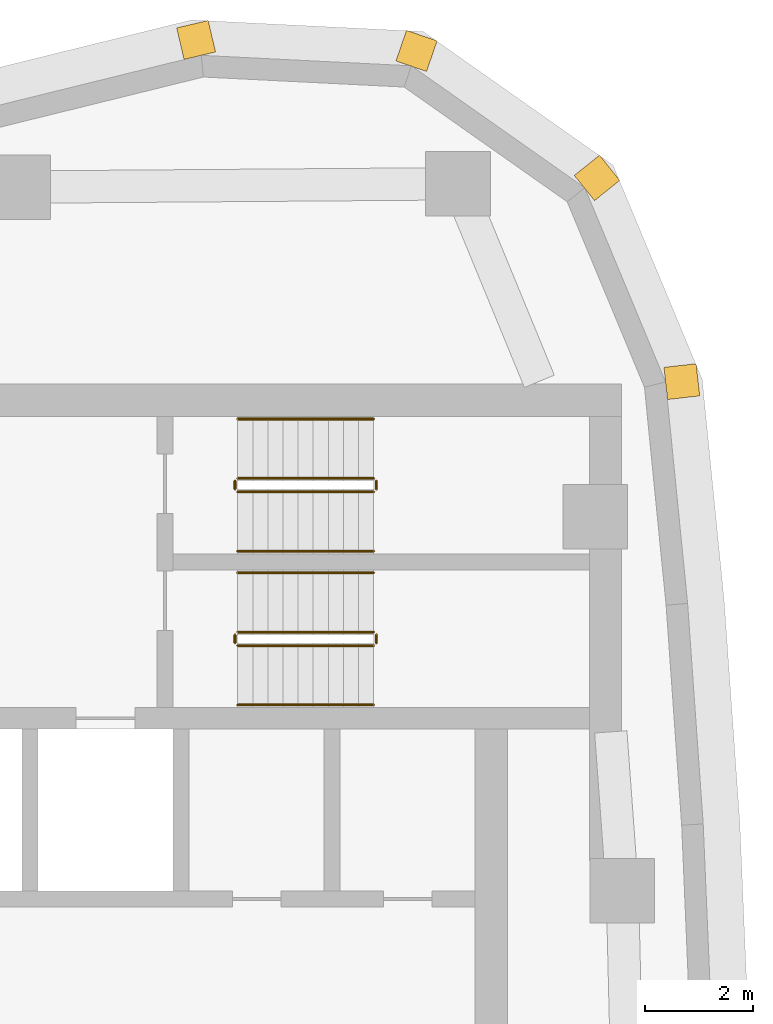
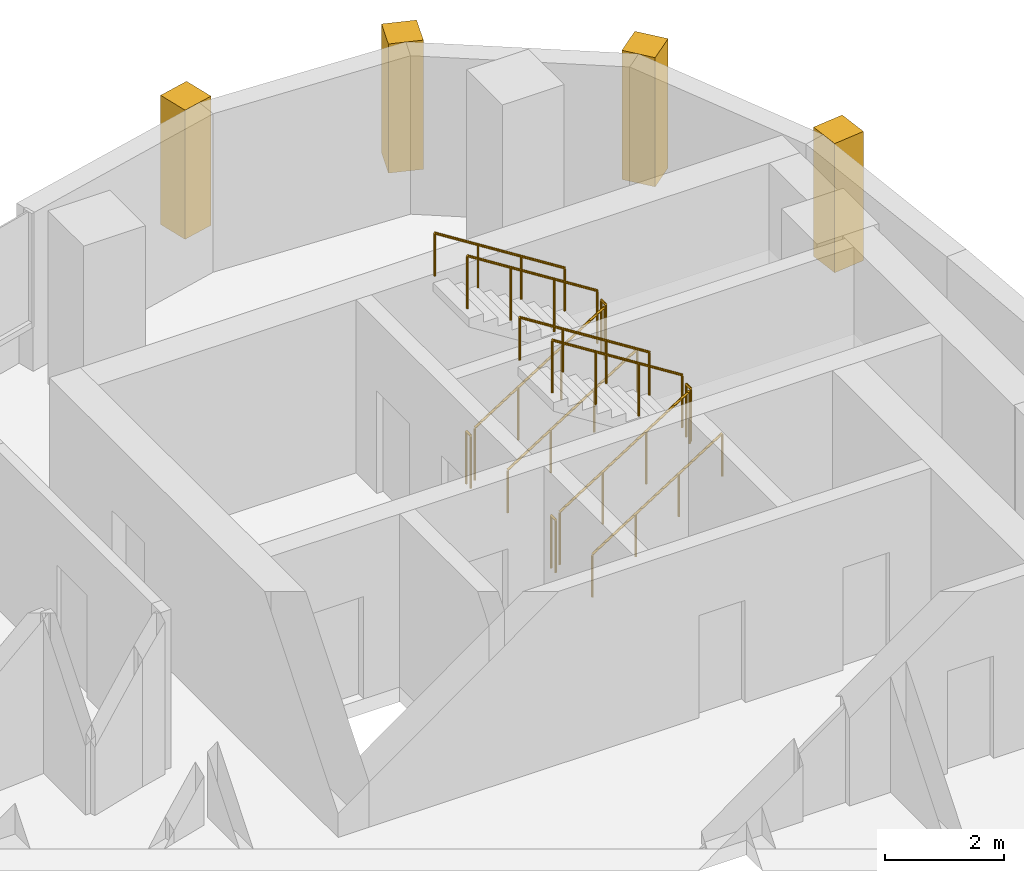
# One storey, part 16 of 16: 12 railings, 4 coverings.
"""IFC4 building model written with IfcOpenShell, lengths in metres."""

from ifc_helpers import new_model, si_unit, direction, frame, frame_2d, origin, origin_2d, place, context, subcontext, project, spatial, rectangle, circle, extrude, material, layer, layer_set, type_object, element, save


model = new_model("IFC4")

# Units and contexts
model_context = context("Model", 3, precision=1e-05, world=origin(), true_north=direction((0.0, 1.0)))
body_context = subcontext(model_context, "Body", "Model", "MODEL_VIEW")
ifc_project = project(units=[si_unit("LENGTHUNIT", "METRE"), si_unit("AREAUNIT", "SQUARE_METRE"), si_unit("VOLUMEUNIT", "CUBIC_METRE"), si_unit("PLANEANGLEUNIT", "RADIAN"), si_unit("MASSUNIT", "GRAM", prefix="KILO")], contexts=[model_context])

# Site, building, storey
site_placement = place(None, origin())
site = spatial("IfcSite", under=ifc_project, at=site_placement, CompositionType="ELEMENT")
building_placement = place(site_placement, origin())
building = spatial("IfcBuilding", under=site, at=building_placement, Name="Ostrand Prow Hotel Tower", CompositionType="ELEMENT")
storey_placement = place(building_placement, frame((0.0, 0.0, 224.35009765625)))
storey = spatial("IfcBuildingStorey", under=building, at=storey_placement, Name="L56", CompositionType="ELEMENT", Elevation=224.35009765625)

# Coverings
ifc_material_1 = material(Name="Limestone cladding", Category="masonry")
ifc_layer = layer(ifc_material_1, 0.60009765625)
ifc_layer_set = layer_set([ifc_layer], Name="Limestone cladding")
covering_type = type_object("IfcCoveringType", Name="Precast stone prow rib 600x600", PredefinedType="CLADDING", material=ifc_layer_set)
for number, where, z_axis, x_axis, name in (
    (1, (65.13623046875, 16.35986328125, 0.599853515625), (0.0, 0.0, 1.0), (0.993628058569, 0.112708833834, 0.0), "Stone corner rib 13a"),
    (2, (63.62744140625, 19.98291015625, 0.599853515625), (0.0, 0.0, 1.0), (0.779994736518, 0.625786074473, 0.0), "Stone corner rib 14a"),
    (3, (60.417236328125, 22.240966796875, 0.599853515625), (0.0, 0.0, 1.0), (0.325489086777, 0.945545797087, 0.0), "Stone corner rib 15a"),
    (4, (56.49755859375, 22.436279296875, 0.599853515625), (0.0, 0.0, 1.0), (-0.229878322855, 0.973219377469, 0.0), "Stone corner rib 15b"),
):
    element("IfcCovering", number, at=place(storey_placement, frame(where, z_axis=z_axis, x_axis=x_axis)), inside=storey, type_object=covering_type, Name=name, PredefinedType="CLADDING", context=body_context, shape_type="SweptSolid", body=[
        extrude(rectangle(XDim=0.60009765625, YDim=0.60009765625, at=frame_2d((0.300048828125, 0.0))), origin(), (0.0, 0.0, 1.0), 2.650146484375),
    ])

# Railings
ifc_material_2 = material(Name="Painted steel", Category="steel")
railing_type_1 = type_object("IfcRailingType", Name="Stair guard 1100", PredefinedType="GUARDRAIL", material=ifc_material_2)
railing_1_placement = place(storey_placement, frame((57.199951171875, 11.5, 0.177490234375)))
element("IfcRailing", 5, at=railing_1_placement, inside=storey, type_object=railing_type_1, Name="L56 ST1C stair guard 1", PredefinedType="GUARDRAIL", context=body_context, shape_type="SweptSolid", body=[
    extrude(circle(Radius=0.02392578125, at=origin_2d()), frame((0.0, 0.0, 1.076171875), z_axis=(0.84460694969, 0.0, 0.535386869969), x_axis=(0.0, 1.0, 0.0)), (0.0, 0.0, 1.0), 2.983642578125),
    extrude(circle(Radius=0.02099609375, at=origin_2d()), origin(), (0.0, 0.0, 1.0), 1.052001953125),
    extrude(circle(Radius=0.02099609375, at=origin_2d()), frame((0.840087890625, 0.0, 0.532470703125)), (0.0, 0.0, 1.0), 1.052001953125),
    extrude(circle(Radius=0.02099609375, at=origin_2d()), frame((1.679931640625, 0.0, 1.06494140625)), (0.0, 0.0, 1.0), 1.052001953125),
    extrude(circle(Radius=0.02099609375, at=origin_2d()), frame((2.52001953125, 0.0, 1.597412109375)), (0.0, 0.0, 1.0), 1.052001953125),
])
railing_2_placement = place(storey_placement, frame((59.77001953125, 11.550048828125, 1.77490234375)))
element("IfcRailing", 6, at=railing_2_placement, inside=storey, type_object=railing_type_1, Name="L56 ST1C stair guard 2", PredefinedType="GUARDRAIL", context=body_context, shape_type="SweptSolid", body=[
    extrude(circle(Radius=0.02392578125, at=origin_2d()), frame((0.0, 0.0, 1.076171875), z_axis=(0.0, 1.0, 0.0), x_axis=(-1.0, 0.0, 0.0)), (0.0, 0.0, 1.0), 0.14990234375),
    extrude(circle(Radius=0.02099609375, at=origin_2d()), origin(), (0.0, 0.0, 1.0), 1.052001953125),
    extrude(circle(Radius=0.02099609375, at=origin_2d()), frame((0.0, 0.14990234375, 0.0)), (0.0, 0.0, 1.0), 1.052001953125),
])
railing_3_placement = place(storey_placement, frame((59.719970703125, 11.75, 1.952392578125)))
element("IfcRailing", 7, at=railing_3_placement, inside=storey, type_object=railing_type_1, Name="L56 ST1C stair guard 3", PredefinedType="GUARDRAIL", context=body_context, shape_type="SweptSolid", body=[
    extrude(circle(Radius=0.02392578125, at=origin_2d()), frame((0.0, 0.0, 1.076171875), z_axis=(-0.84460694969, 0.0, 0.535386869969), x_axis=(0.0, -1.0, 0.0)), (0.0, 0.0, 1.0), 2.983642578125),
    extrude(circle(Radius=0.02099609375, at=origin_2d()), origin(), (0.0, 0.0, 1.0), 1.052001953125),
    extrude(circle(Radius=0.02099609375, at=origin_2d()), frame((-0.840087890625, 0.0, 0.532470703125)), (0.0, 0.0, 1.0), 1.052001953125),
    extrude(circle(Radius=0.02099609375, at=origin_2d()), frame((-1.679931640625, 0.0, 1.06494140625)), (0.0, 0.0, 1.0), 1.052001953125),
    extrude(circle(Radius=0.02099609375, at=origin_2d()), frame((-2.52001953125, 0.0, 1.597412109375)), (0.0, 0.0, 1.0), 1.052001953125),
])
railing_4_placement = place(storey_placement, frame((57.14990234375, 11.550048828125, 0.0)))
element("IfcRailing", 8, at=railing_4_placement, inside=storey, type_object=railing_type_1, Name="L56 ST1C stair guard 4", PredefinedType="GUARDRAIL", context=body_context, shape_type="SweptSolid", body=[
    extrude(circle(Radius=0.02392578125, at=origin_2d()), frame((0.0, 0.0, 1.076171875), z_axis=(0.0, 1.0, 0.0), x_axis=(-1.0, 0.0, 0.0)), (0.0, 0.0, 1.0), 0.14990234375),
    extrude(circle(Radius=0.02099609375, at=origin_2d()), origin(), (0.0, 0.0, 1.0), 1.052001953125),
    extrude(circle(Radius=0.02099609375, at=origin_2d()), frame((0.0, 0.14990234375, 0.0)), (0.0, 0.0, 1.0), 1.052001953125),
])
railing_5_placement = place(storey_placement, frame((57.199951171875, 14.35009765625, 0.177490234375)))
element("IfcRailing", 9, at=railing_5_placement, inside=storey, type_object=railing_type_1, Name="L56 ST3C stair guard 1", PredefinedType="GUARDRAIL", context=body_context, shape_type="SweptSolid", body=[
    extrude(circle(Radius=0.02392578125, at=origin_2d()), frame((0.0, 0.0, 1.076171875), z_axis=(0.84460694969, 0.0, 0.535386869969), x_axis=(0.0, 1.0, 0.0)), (0.0, 0.0, 1.0), 2.983642578125),
    extrude(circle(Radius=0.02099609375, at=origin_2d()), origin(), (0.0, 0.0, 1.0), 1.052001953125),
    extrude(circle(Radius=0.02099609375, at=origin_2d()), frame((0.840087890625, 0.0, 0.532470703125)), (0.0, 0.0, 1.0), 1.052001953125),
    extrude(circle(Radius=0.02099609375, at=origin_2d()), frame((1.679931640625, 0.0, 1.06494140625)), (0.0, 0.0, 1.0), 1.052001953125),
    extrude(circle(Radius=0.02099609375, at=origin_2d()), frame((2.52001953125, 0.0, 1.597412109375)), (0.0, 0.0, 1.0), 1.052001953125),
])
railing_6_placement = place(storey_placement, frame((59.77001953125, 14.39990234375, 1.77490234375)))
element("IfcRailing", 10, at=railing_6_placement, inside=storey, type_object=railing_type_1, Name="L56 ST3C stair guard 2", PredefinedType="GUARDRAIL", context=body_context, shape_type="SweptSolid", body=[
    extrude(circle(Radius=0.02392578125, at=origin_2d()), frame((0.0, 0.0, 1.076171875), z_axis=(0.0, 1.0, 0.0), x_axis=(-1.0, 0.0, 0.0)), (0.0, 0.0, 1.0), 0.150146484375),
    extrude(circle(Radius=0.02099609375, at=origin_2d()), origin(), (0.0, 0.0, 1.0), 1.052001953125),
    extrude(circle(Radius=0.02099609375, at=origin_2d()), frame((0.0, 0.150146484375, 0.0)), (0.0, 0.0, 1.0), 1.052001953125),
])
railing_7_placement = place(storey_placement, frame((59.719970703125, 14.60009765625, 1.952392578125)))
element("IfcRailing", 11, at=railing_7_placement, inside=storey, type_object=railing_type_1, Name="L56 ST3C stair guard 3", PredefinedType="GUARDRAIL", context=body_context, shape_type="SweptSolid", body=[
    extrude(circle(Radius=0.02392578125, at=origin_2d()), frame((0.0, 0.0, 1.076171875), z_axis=(-0.84460694969, 0.0, 0.535386869969), x_axis=(0.0, -1.0, 0.0)), (0.0, 0.0, 1.0), 2.983642578125),
    extrude(circle(Radius=0.02099609375, at=origin_2d()), origin(), (0.0, 0.0, 1.0), 1.052001953125),
    extrude(circle(Radius=0.02099609375, at=origin_2d()), frame((-0.840087890625, 0.0, 0.532470703125)), (0.0, 0.0, 1.0), 1.052001953125),
    extrude(circle(Radius=0.02099609375, at=origin_2d()), frame((-1.679931640625, 0.0, 1.06494140625)), (0.0, 0.0, 1.0), 1.052001953125),
    extrude(circle(Radius=0.02099609375, at=origin_2d()), frame((-2.52001953125, 0.0, 1.597412109375)), (0.0, 0.0, 1.0), 1.052001953125),
])
railing_8_placement = place(storey_placement, frame((57.14990234375, 14.39990234375, 0.0)))
element("IfcRailing", 12, at=railing_8_placement, inside=storey, type_object=railing_type_1, Name="L56 ST3C stair guard 4", PredefinedType="GUARDRAIL", context=body_context, shape_type="SweptSolid", body=[
    extrude(circle(Radius=0.02392578125, at=origin_2d()), frame((0.0, 0.0, 1.076171875), z_axis=(0.0, 1.0, 0.0), x_axis=(-1.0, 0.0, 0.0)), (0.0, 0.0, 1.0), 0.150146484375),
    extrude(circle(Radius=0.02099609375, at=origin_2d()), origin(), (0.0, 0.0, 1.0), 1.052001953125),
    extrude(circle(Radius=0.02099609375, at=origin_2d()), frame((0.0, 0.150146484375, 0.0)), (0.0, 0.0, 1.0), 1.052001953125),
])
ifc_material_3 = material(Name="Stainless steel", Category="steel")
railing_type_2 = type_object("IfcRailingType", Name="Stair handrail 900", PredefinedType="HANDRAIL", material=ifc_material_3)
railing_9_placement = place(storey_placement, frame((57.199951171875, 10.39990234375, 0.177490234375)))
element("IfcRailing", 13, at=railing_9_placement, inside=storey, type_object=railing_type_2, Name="L56 ST1C stair handrail 1", PredefinedType="HANDRAIL", context=body_context, shape_type="SweptSolid", body=[
    extrude(circle(Radius=0.02392578125, at=origin_2d()), frame((0.0, 0.0, 0.8759765625), z_axis=(0.84460694969, 0.0, 0.535386869969), x_axis=(0.0, 1.0, 0.0)), (0.0, 0.0, 1.0), 2.983642578125),
    extrude(circle(Radius=0.02099609375, at=origin_2d()), origin(), (0.0, 0.0, 1.0), 0.851806640625),
    extrude(circle(Radius=0.02099609375, at=origin_2d()), frame((0.840087890625, 0.0, 0.532470703125)), (0.0, 0.0, 1.0), 0.851806640625),
    extrude(circle(Radius=0.02099609375, at=origin_2d()), frame((1.679931640625, 0.0, 1.06494140625)), (0.0, 0.0, 1.0), 0.851806640625),
    extrude(circle(Radius=0.02099609375, at=origin_2d()), frame((2.52001953125, 0.0, 1.597412109375)), (0.0, 0.0, 1.0), 0.851806640625),
])
railing_10_placement = place(storey_placement, frame((59.719970703125, 12.85009765625, 1.952392578125)))
element("IfcRailing", 14, at=railing_10_placement, inside=storey, type_object=railing_type_2, Name="L56 ST1C stair handrail 2", PredefinedType="HANDRAIL", context=body_context, shape_type="SweptSolid", body=[
    extrude(circle(Radius=0.02392578125, at=origin_2d()), frame((0.0, 0.0, 0.8759765625), z_axis=(-0.84460694969, 0.0, 0.535386869969), x_axis=(0.0, -1.0, 0.0)), (0.0, 0.0, 1.0), 2.983642578125),
    extrude(circle(Radius=0.02099609375, at=origin_2d()), origin(), (0.0, 0.0, 1.0), 0.851806640625),
    extrude(circle(Radius=0.02099609375, at=origin_2d()), frame((-0.840087890625, 0.0, 0.532470703125)), (0.0, 0.0, 1.0), 0.851806640625),
    extrude(circle(Radius=0.02099609375, at=origin_2d()), frame((-1.679931640625, 0.0, 1.06494140625)), (0.0, 0.0, 1.0), 0.851806640625),
    extrude(circle(Radius=0.02099609375, at=origin_2d()), frame((-2.52001953125, 0.0, 1.597412109375)), (0.0, 0.0, 1.0), 0.851806640625),
])
railing_11_placement = place(storey_placement, frame((57.199951171875, 13.25, 0.177490234375)))
element("IfcRailing", 15, at=railing_11_placement, inside=storey, type_object=railing_type_2, Name="L56 ST3C stair handrail 1", PredefinedType="HANDRAIL", context=body_context, shape_type="SweptSolid", body=[
    extrude(circle(Radius=0.02392578125, at=origin_2d()), frame((0.0, 0.0, 0.8759765625), z_axis=(0.84460694969, 0.0, 0.535386869969), x_axis=(0.0, 1.0, 0.0)), (0.0, 0.0, 1.0), 2.983642578125),
    extrude(circle(Radius=0.02099609375, at=origin_2d()), origin(), (0.0, 0.0, 1.0), 0.851806640625),
    extrude(circle(Radius=0.02099609375, at=origin_2d()), frame((0.840087890625, 0.0, 0.532470703125)), (0.0, 0.0, 1.0), 0.851806640625),
    extrude(circle(Radius=0.02099609375, at=origin_2d()), frame((1.679931640625, 0.0, 1.06494140625)), (0.0, 0.0, 1.0), 0.851806640625),
    extrude(circle(Radius=0.02099609375, at=origin_2d()), frame((2.52001953125, 0.0, 1.597412109375)), (0.0, 0.0, 1.0), 0.851806640625),
])
railing_12_placement = place(storey_placement, frame((59.719970703125, 15.699951171875, 1.952392578125)))
element("IfcRailing", 16, at=railing_12_placement, inside=storey, type_object=railing_type_2, Name="L56 ST3C stair handrail 2", PredefinedType="HANDRAIL", context=body_context, shape_type="SweptSolid", body=[
    extrude(circle(Radius=0.02392578125, at=origin_2d()), frame((0.0, 0.0, 0.8759765625), z_axis=(-0.84460694969, 0.0, 0.535386869969), x_axis=(0.0, -1.0, 0.0)), (0.0, 0.0, 1.0), 2.983642578125),
    extrude(circle(Radius=0.02099609375, at=origin_2d()), origin(), (0.0, 0.0, 1.0), 0.851806640625),
    extrude(circle(Radius=0.02099609375, at=origin_2d()), frame((-0.840087890625, 0.0, 0.532470703125)), (0.0, 0.0, 1.0), 0.851806640625),
    extrude(circle(Radius=0.02099609375, at=origin_2d()), frame((-1.679931640625, 0.0, 1.06494140625)), (0.0, 0.0, 1.0), 0.851806640625),
    extrude(circle(Radius=0.02099609375, at=origin_2d()), frame((-2.52001953125, 0.0, 1.597412109375)), (0.0, 0.0, 1.0), 0.851806640625),
])

save(model, "model.ifc")
